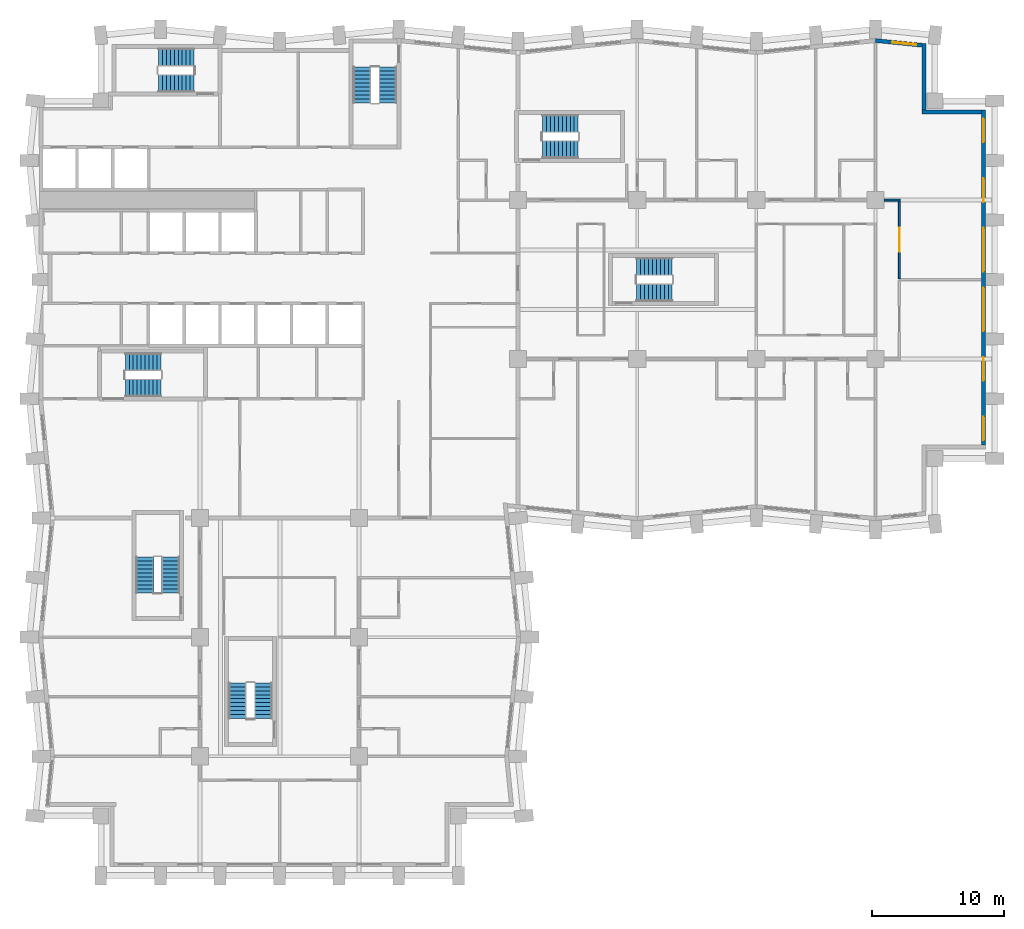
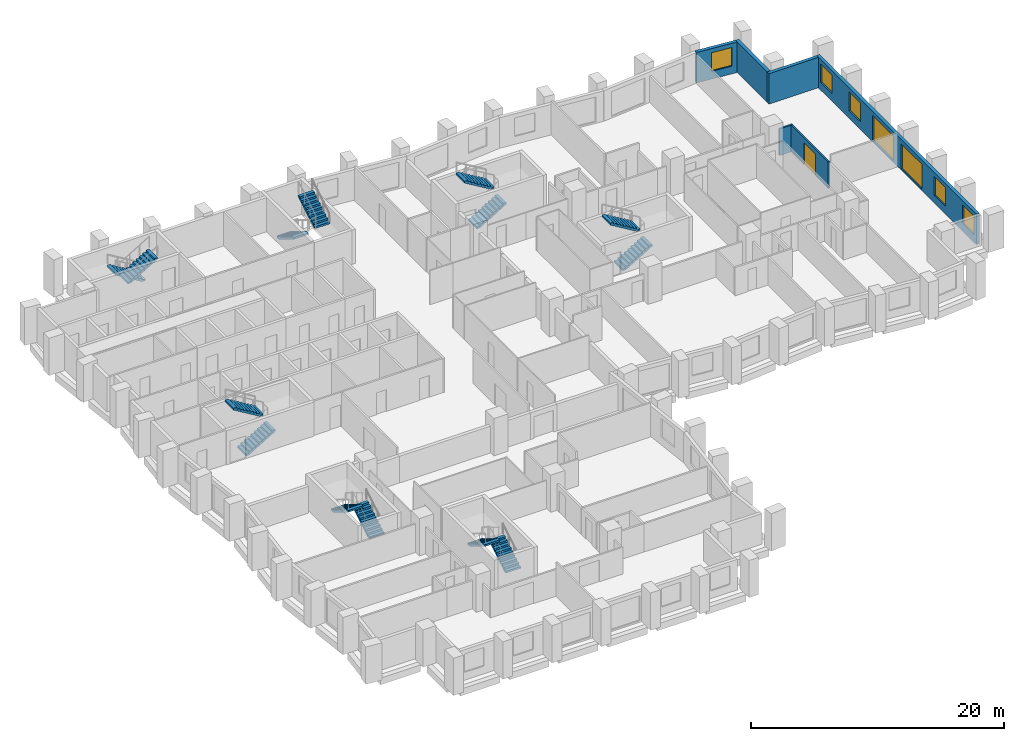
# One storey, part 10 of 12: 14 stair flights, 7 windows, 6 walls, 1 door, 8 openings, 7 elements without a shape of their own.
"""IFC4 building model written with IfcOpenShell, lengths in metres."""

from ifc_helpers import new_model, si_unit, direction, frame, frame_2d, origin, place, context, subcontext, project, spatial, polyline, rectangle, outline, extrude, material, layer, layer_set, type_object, element, fill, aggregate, save


model = new_model("IFC4")

# Units and contexts
model_context = context("Model", 3, precision=1e-05, world=origin(), true_north=direction((0.0, 1.0)))
body_context = subcontext(model_context, "Body", "Model", "MODEL_VIEW")
ifc_project = project(units=[si_unit("LENGTHUNIT", "METRE"), si_unit("AREAUNIT", "SQUARE_METRE"), si_unit("VOLUMEUNIT", "CUBIC_METRE"), si_unit("PLANEANGLEUNIT", "RADIAN"), si_unit("MASSUNIT", "GRAM", prefix="KILO")], contexts=[model_context])

# Site, building, storey
site_placement = place(None, origin())
site = spatial("IfcSite", under=ifc_project, at=site_placement, CompositionType="ELEMENT")
building_placement = place(site_placement, origin())
building = spatial("IfcBuilding", under=site, at=building_placement, Name="Brondeck Convention Tower", CompositionType="ELEMENT")
storey_placement = place(building_placement, frame((0.0, 0.0, 59.10009765625)))
storey = spatial("IfcBuildingStorey", under=building, at=storey_placement, Name="L12", CompositionType="ELEMENT", Elevation=59.10009765625)

# Wall, openings, windows
ifc_material_1 = material(Name="Precast concrete C50/60 bronze finish", Category="concrete")
ifc_layer_1 = layer(ifc_material_1, 0.070068359375, Name="Bronze precast facing")
ifc_material_2 = material(Name="Mineral wool")
ifc_layer_2 = layer(ifc_material_2, 0.159912109375, Name="Insulation")
ifc_material_3 = material(Name="Concrete C35/45", Category="concrete")
ifc_layer_3 = layer(ifc_material_3, 0.070068359375, Name="Backing")
ifc_layer_set_1 = layer_set([ifc_layer_1, ifc_layer_2, ifc_layer_3], Name="External infill wall, precast concrete C50/60 bronze facing")
wall_type_1 = type_object("IfcWallType", Name="External infill wall, precast concrete C50/60 bronze facing", PredefinedType="SOLIDWALL", material=ifc_layer_set_1)
wall_1_placement = place(storey_placement, frame((71.14990234375, 57.800048828125, 0.0), z_axis=(0.0, 0.0, 1.0), x_axis=(0.0, -1.0, 0.0)))
wall_1 = element("IfcWall", 1, at=wall_1_placement, inside=storey, type_object=wall_type_1, Name="ENV-EW-L12-P0-A-E72-01", PredefinedType="SOLIDWALL", context=body_context, shape_type="SweptSolid", body=[
    extrude(rectangle(XDim=25.302001953125, YDim=0.300048828125, at=frame_2d((12.65087890625, 0.0))), origin(), (0.0, 0.0, 1.0), 2.949951171875),
])
opening_1_placement = place(wall_1_placement, frame((0.64990234375, 0.0, 0.75)))
opening_1 = element("IfcOpeningElement", 2, at=opening_1_placement, cuts=wall_1, Name="Opening W10", PredefinedType="OPENING", context=body_context, shape_type="SweptSolid", body=[
    extrude(rectangle(XDim=1.800048828125, YDim=1.800048828125, at=frame_2d((0.89990234375, 0.89990234375))), frame((0.0, 0.159912109375, 0.0), z_axis=(0.0, -1.0, 0.0), x_axis=(1.0, 0.0, 0.0)), (0.0, 0.0, 1.0), 0.320068359375),
])
opening_2_placement = place(wall_1_placement, frame((5.14990234375, 0.0, 0.75)))
opening_2 = element("IfcOpeningElement", 3, at=opening_2_placement, cuts=wall_1, Name="Opening W10", PredefinedType="OPENING", context=body_context, shape_type="SweptSolid", body=[
    extrude(rectangle(XDim=1.800048828125, YDim=1.800048828125, at=frame_2d((0.89990234375, 0.89990234375))), frame((0.0, 0.159912109375, 0.0), z_axis=(0.0, -1.0, 0.0), x_axis=(1.0, 0.0, 0.0)), (0.0, 0.0, 1.0), 0.320068359375),
])
opening_3_placement = place(wall_1_placement, frame((8.89990234375, 0.0, 0.14990234375)))
opening_3 = element("IfcOpeningElement", 4, at=opening_3_placement, cuts=wall_1, Name="Opening W9", PredefinedType="OPENING", context=body_context, shape_type="SweptSolid", body=[
    extrude(rectangle(XDim=3.300048828125, YDim=2.39990234375, at=frame_2d((1.64990234375, 1.199951171875))), frame((0.0, 0.159912109375, 0.0), z_axis=(0.0, -1.0, 0.0), x_axis=(1.0, 0.0, 0.0)), (0.0, 0.0, 1.0), 0.320068359375),
])
opening_4_placement = place(wall_1_placement, frame((13.39990234375, 0.0, 0.14990234375)))
opening_4 = element("IfcOpeningElement", 5, at=opening_4_placement, cuts=wall_1, Name="Opening W9", PredefinedType="OPENING", context=body_context, shape_type="SweptSolid", body=[
    extrude(rectangle(XDim=3.300048828125, YDim=2.39990234375, at=frame_2d((1.64990234375, 1.199951171875))), frame((0.0, 0.159912109375, 0.0), z_axis=(0.0, -1.0, 0.0), x_axis=(1.0, 0.0, 0.0)), (0.0, 0.0, 1.0), 0.320068359375),
])
opening_5_placement = place(wall_1_placement, frame((18.64990234375, 0.0, 0.75)))
opening_5 = element("IfcOpeningElement", 6, at=opening_5_placement, cuts=wall_1, Name="Opening W10", PredefinedType="OPENING", context=body_context, shape_type="SweptSolid", body=[
    extrude(rectangle(XDim=1.800048828125, YDim=1.800048828125, at=frame_2d((0.89990234375, 0.89990234375))), frame((0.0, 0.159912109375, 0.0), z_axis=(0.0, -1.0, 0.0), x_axis=(1.0, 0.0, 0.0)), (0.0, 0.0, 1.0), 0.320068359375),
])
opening_6_placement = place(wall_1_placement, frame((23.14990234375, 0.0, 0.75)))
opening_6 = element("IfcOpeningElement", 7, at=opening_6_placement, cuts=wall_1, Name="Opening W10", PredefinedType="OPENING", context=body_context, shape_type="SweptSolid", body=[
    extrude(rectangle(XDim=1.800048828125, YDim=1.800048828125, at=frame_2d((0.89990234375, 0.89990234375))), frame((0.0, 0.159912109375, 0.0), z_axis=(0.0, -1.0, 0.0), x_axis=(1.0, 0.0, 0.0)), (0.0, 0.0, 1.0), 0.320068359375),
])
ifc_material_4 = material(Name="Bronze tinted double glazing", Category="glass")
window_type_1 = type_object("IfcWindowType", Name="Glazed flute window, bronze tinted", PartitioningType="SINGLE_PANEL", PredefinedType="WINDOW", material=ifc_material_4)
window_1_placement = place(opening_3_placement, origin())
window_1 = element("IfcWindow", 8, at=window_1_placement, inside=storey, type_object=window_type_1, Name="ENV-WN-L12-P0-A-E72-04", OverallHeight=2.39990234375, OverallWidth=3.300048828125, PartitioningType="SINGLE_PANEL", PredefinedType="WINDOW", context=body_context, shape_type="SweptSolid", body=[
    extrude(rectangle(XDim=3.300048828125, YDim=2.39990234375, at=frame_2d((1.64990234375, 1.199951171875))), frame((0.0, 0.030029296875, 0.0), z_axis=(0.0, -1.0, 0.0), x_axis=(1.0, 0.0, 0.0)), (0.0, 0.0, 1.0), 0.06005859375),
])
fill(opening_3, window_1)
window_2_placement = place(opening_4_placement, origin())
window_2 = element("IfcWindow", 9, at=window_2_placement, inside=storey, type_object=window_type_1, Name="ENV-WN-L12-P0-A-E72-03", OverallHeight=2.39990234375, OverallWidth=3.300048828125, PartitioningType="SINGLE_PANEL", PredefinedType="WINDOW", context=body_context, shape_type="SweptSolid", body=[
    extrude(rectangle(XDim=3.300048828125, YDim=2.39990234375, at=frame_2d((1.64990234375, 1.199951171875))), frame((0.0, 0.030029296875, 0.0), z_axis=(0.0, -1.0, 0.0), x_axis=(1.0, 0.0, 0.0)), (0.0, 0.0, 1.0), 0.06005859375),
])
fill(opening_4, window_2)
window_type_2 = type_object("IfcWindowType", Name="Punched window, bronze tinted", PartitioningType="SINGLE_PANEL", PredefinedType="WINDOW", material=ifc_material_4)
window_3_placement = place(opening_1_placement, origin())
window_3 = element("IfcWindow", 10, at=window_3_placement, inside=storey, type_object=window_type_2, Name="ENV-WN-L12-P0-A-E72-06", OverallHeight=1.800048828125, OverallWidth=1.800048828125, PartitioningType="SINGLE_PANEL", PredefinedType="WINDOW", context=body_context, shape_type="SweptSolid", body=[
    extrude(rectangle(XDim=1.800048828125, YDim=1.800048828125, at=frame_2d((0.89990234375, 0.89990234375))), frame((0.0, 0.030029296875, 0.0), z_axis=(0.0, -1.0, 0.0), x_axis=(1.0, 0.0, 0.0)), (0.0, 0.0, 1.0), 0.06005859375),
])
fill(opening_1, window_3)
window_4_placement = place(opening_2_placement, origin())
window_4 = element("IfcWindow", 11, at=window_4_placement, inside=storey, type_object=window_type_2, Name="ENV-WN-L12-P0-A-E72-05", OverallHeight=1.800048828125, OverallWidth=1.800048828125, PartitioningType="SINGLE_PANEL", PredefinedType="WINDOW", context=body_context, shape_type="SweptSolid", body=[
    extrude(rectangle(XDim=1.800048828125, YDim=1.800048828125, at=frame_2d((0.89990234375, 0.89990234375))), frame((0.0, 0.030029296875, 0.0), z_axis=(0.0, -1.0, 0.0), x_axis=(1.0, 0.0, 0.0)), (0.0, 0.0, 1.0), 0.06005859375),
])
fill(opening_2, window_4)
window_5_placement = place(opening_5_placement, origin())
window_5 = element("IfcWindow", 12, at=window_5_placement, inside=storey, type_object=window_type_2, Name="ENV-WN-L12-P0-A-E72-02", OverallHeight=1.800048828125, OverallWidth=1.800048828125, PartitioningType="SINGLE_PANEL", PredefinedType="WINDOW", context=body_context, shape_type="SweptSolid", body=[
    extrude(rectangle(XDim=1.800048828125, YDim=1.800048828125, at=frame_2d((0.89990234375, 0.89990234375))), frame((0.0, 0.030029296875, 0.0), z_axis=(0.0, -1.0, 0.0), x_axis=(1.0, 0.0, 0.0)), (0.0, 0.0, 1.0), 0.06005859375),
])
fill(opening_5, window_5)
window_6_placement = place(opening_6_placement, origin())
window_6 = element("IfcWindow", 13, at=window_6_placement, inside=storey, type_object=window_type_2, Name="ENV-WN-L12-P0-A-E72-01", OverallHeight=1.800048828125, OverallWidth=1.800048828125, PartitioningType="SINGLE_PANEL", PredefinedType="WINDOW", context=body_context, shape_type="SweptSolid", body=[
    extrude(rectangle(XDim=1.800048828125, YDim=1.800048828125, at=frame_2d((0.89990234375, 0.89990234375))), frame((0.0, 0.030029296875, 0.0), z_axis=(0.0, -1.0, 0.0), x_axis=(1.0, 0.0, 0.0)), (0.0, 0.0, 1.0), 0.06005859375),
])
fill(opening_6, window_6)

# Walls
wall_2_placement = place(storey_placement, frame((66.5, 57.64990234375, 0.0), z_axis=(0.0, 0.0, 1.0), x_axis=(1.0, 0.0, 0.0)))
element("IfcWall", 14, at=wall_2_placement, inside=storey, type_object=wall_type_1, Name="ENV-EW-L12-P0-NC-NEA72-01", PredefinedType="SOLIDWALL", context=body_context, shape_type="SweptSolid", body=[
    extrude(rectangle(XDim=4.5, YDim=0.300048828125, at=frame_2d((2.25, 0.0))), origin(), (0.0, 0.0, 1.0), 2.949951171875),
])
wall_3_placement = place(storey_placement, frame((66.64990234375, 62.81640625, 0.0), z_axis=(0.0, 0.0, 1.0), x_axis=(0.0, -1.0, 0.0)))
element("IfcWall", 15, at=wall_3_placement, inside=storey, type_object=wall_type_1, Name="ENV-EW-L12-P0-NC-NEA72-02", PredefinedType="SOLIDWALL", context=body_context, shape_type="SweptSolid", body=[
    extrude(rectangle(XDim=5.018310546875, YDim=0.300048828125, at=frame_2d((2.50927734375, 0.0))), origin(), (0.0, 0.0, 1.0), 2.949951171875),
])

# Wall, opening, window
wall_4_placement = place(storey_placement, frame((62.985107421875, 63.04736328125, 0.0), z_axis=(0.0, 0.0, 1.0), x_axis=(0.995031712439, -0.099558481511, 0.0)))
wall_4 = element("IfcWall", 16, at=wall_4_placement, inside=storey, type_object=wall_type_1, Name="ENV-EW-L12-P0-A-N-14", PredefinedType="SOLIDWALL", context=body_context, shape_type="SweptSolid", body=[
    extrude(rectangle(XDim=3.53125, YDim=0.300048828125, at=frame_2d((1.765625, 0.0))), origin(), (0.0, 0.0, 1.0), 2.949951171875),
])
opening_7_placement = place(wall_4_placement, frame((1.291259765625, 0.0, 0.75)))
opening_7 = element("IfcOpeningElement", 17, at=opening_7_placement, cuts=wall_4, Name="Opening W10", PredefinedType="OPENING", context=body_context, shape_type="SweptSolid", body=[
    extrude(rectangle(XDim=1.800048828125, YDim=1.800048828125, at=frame_2d((0.89990234375, 0.89990234375))), frame((0.0, 0.159912109375, 0.0), z_axis=(0.0, -1.0, 0.0), x_axis=(1.0, 0.0, 0.0)), (0.0, 0.0, 1.0), 0.320068359375),
])
window_7_placement = place(opening_7_placement, origin())
window_7 = element("IfcWindow", 18, at=window_7_placement, inside=storey, type_object=window_type_2, Name="ENV-WN-L12-P0-A-N-14", OverallHeight=1.800048828125, OverallWidth=1.800048828125, PartitioningType="SINGLE_PANEL", PredefinedType="WINDOW", context=body_context, shape_type="SweptSolid", body=[
    extrude(rectangle(XDim=1.800048828125, YDim=1.800048828125, at=frame_2d((0.89990234375, 0.89990234375))), frame((0.0, 0.030029296875, 0.0), z_axis=(0.0, -1.0, 0.0), x_axis=(1.0, 0.0, 0.0)), (0.0, 0.0, 1.0), 0.06005859375),
])
fill(opening_7, window_7)

# Wall, opening, door
ifc_material_5 = material(Name="Double gypsum board acoustic wall")
ifc_layer_4 = layer(ifc_material_5, 0.14990234375)
ifc_layer_set_2 = layer_set([ifc_layer_4], Name="Guest room party wall 150")
wall_type_2 = type_object("IfcWallType", Name="Guest room party wall 150", PredefinedType="PARTITIONING", material=ifc_layer_set_2)
wall_5_placement = place(storey_placement, frame((64.800048828125, 50.925048828125, 0.0), z_axis=(0.0, 0.0, 1.0), x_axis=(0.0, -1.0, 0.0)))
wall_5 = element("IfcWall", 19, at=wall_5_placement, inside=storey, type_object=wall_type_2, Name="FLR-L12-W100", PredefinedType="PARTITIONING", context=body_context, shape_type="SweptSolid", body=[
    extrude(rectangle(XDim=5.85009765625, YDim=0.14990234375, at=frame_2d((2.925048828125, 0.0))), origin(), (0.0, 0.0, 1.0), 2.579833984375),
])
opening_8_placement = place(wall_5_placement, frame((2.02490234375, 0.0, 0.0)))
opening_8 = element("IfcOpeningElement", 20, at=opening_8_placement, cuts=wall_5, Name="Opening H3-020", PredefinedType="OPENING", context=body_context, shape_type="SweptSolid", body=[
    extrude(rectangle(XDim=1.800048828125, YDim=2.10009765625, at=frame_2d((0.89990234375, 1.050048828125))), frame((0.0, 0.0849609375, 0.0), z_axis=(0.0, -1.0, 0.0), x_axis=(1.0, 0.0, 0.0)), (0.0, 0.0, 1.0), 0.169921875),
])
ifc_material_6 = material(Name="Glazed timber double door", Category="wood")
door_type = type_object("IfcDoorType", Name="Double door 1800", OperationType="DOUBLE_DOOR_SINGLE_SWING", PredefinedType="DOOR", material=ifc_material_6)
door_placement = place(opening_8_placement, origin())
door = element("IfcDoor", 21, at=door_placement, inside=storey, type_object=door_type, Name="Door H3-020", OperationType="DOUBLE_DOOR_SINGLE_SWING", OverallHeight=2.10009765625, OverallWidth=1.800048828125, PredefinedType="DOOR", context=body_context, shape_type="SweptSolid", body=[
    extrude(rectangle(XDim=1.800048828125, YDim=2.10009765625, at=frame_2d((0.89990234375, 1.050048828125))), frame((0.0, 0.02490234375, 0.0), z_axis=(0.0, -1.0, 0.0), x_axis=(1.0, 0.0, 0.0)), (0.0, 0.0, 1.0), 0.050048828125),
])
fill(opening_8, door)

# Wall
wall_6_placement = place(storey_placement, frame((63.655029296875, 51.0, 0.0), z_axis=(0.0, 0.0, 1.0), x_axis=(1.0, 0.0, 0.0)))
element("IfcWall", 22, at=wall_6_placement, inside=storey, type_object=wall_type_2, Name="FLR-L12-W112", PredefinedType="PARTITIONING", context=body_context, shape_type="SweptSolid", body=[
    extrude(rectangle(XDim=1.219970703125, YDim=0.14990234375, at=frame_2d((0.60986328125, 0.0))), origin(), (0.0, 0.0, 1.0), 2.579833984375),
])

# Stair, stair flights
ifc_material_7 = material(Name="Precast concrete C50/60", Category="concrete")
stair_type = type_object("IfcStairType", Name="Core stair 20 risers 180.00 mm riser 300 mm going 1350 wide", PredefinedType="HALF_TURN_STAIR", material=ifc_material_7)
stair_1_placement = place(storey_placement, origin())
stair_1 = element("IfcStair", 23, at=stair_1_placement, inside=storey, type_object=stair_type, Name="ST-1 L12 stair", PredefinedType="HALF_TURN_STAIR")
stair_flight_type = type_object("IfcStairFlightType", Name="Core stair flight 20 risers 180.00 mm riser 300 mm going 1350 wide", PredefinedType="STRAIGHT", material=ifc_material_7)
stair_flight_1_placement = place(storey_placement, frame((6.35009765625, 36.824951171875, 0.0), z_axis=(0.0, 0.0, 1.0), x_axis=(1.0, 0.0, 0.0)))
stair_flight_1 = element("IfcStairFlight", 24, at=stair_flight_1_placement, type_object=stair_flight_type, Name="ST-1 flight 1", NumberOfRisers=10, NumberOfTreads=9, PredefinedType="STRAIGHT", RiserHeight=0.18, TreadLength=0.3, context=body_context, shape_type="SweptSolid", body=[
    extrude(outline(polyline([(0.0, 0.0), (0.0, 0.179931640625), (0.300048828125, 0.179931640625), (0.300048828125, 0.360107421875), (0.60009765625, 0.360107421875), (0.60009765625, 0.5400390625), (0.89990234375, 0.5400390625), (0.89990234375, 0.719970703125), (1.199951171875, 0.719970703125), (1.199951171875, 0.89990234375), (1.5, 0.89990234375), (1.5, 1.080078125), (1.800048828125, 1.080078125), (1.800048828125, 1.260009765625), (2.10009765625, 1.260009765625), (2.10009765625, 1.43994140625), (2.39990234375, 1.43994140625), (2.39990234375, 1.6201171875), (2.699951171875, 1.6201171875), (2.699951171875, 1.800048828125), (2.699951171875, 1.445068359375), (0.291259765625, 0.0), (0.0, 0.0)])), frame((0.0, 0.675048828125, 0.0), z_axis=(0.0, -1.0, 0.0), x_axis=(1.0, 0.0, 0.0)), (0.0, 0.0, 1.0), 1.35009765625),
])
stair_flight_2_placement = place(storey_placement, frame((9.050048828125, 38.77490234375, 1.7998046875), z_axis=(0.0, 0.0, 1.0), x_axis=(-1.0, 0.0, 0.0)))
stair_flight_2 = element("IfcStairFlight", 25, at=stair_flight_2_placement, type_object=stair_flight_type, Name="ST-1 flight 2", NumberOfRisers=10, NumberOfTreads=9, PredefinedType="STRAIGHT", RiserHeight=0.18, TreadLength=0.3, context=body_context, shape_type="SweptSolid", body=[
    extrude(outline(polyline([(0.0, 0.0), (0.0, 0.179931640625), (0.300048828125, 0.179931640625), (0.300048828125, 0.360107421875), (0.60009765625, 0.360107421875), (0.60009765625, 0.5400390625), (0.89990234375, 0.5400390625), (0.89990234375, 0.719970703125), (1.199951171875, 0.719970703125), (1.199951171875, 0.89990234375), (1.5, 0.89990234375), (1.5, 1.080078125), (1.800048828125, 1.080078125), (1.800048828125, 1.260009765625), (2.10009765625, 1.260009765625), (2.10009765625, 1.43994140625), (2.39990234375, 1.43994140625), (2.39990234375, 1.6201171875), (2.699951171875, 1.6201171875), (2.699951171875, 1.800048828125), (2.699951171875, 1.445068359375), (0.291259765625, 0.0), (0.0, 0.0)])), frame((0.0, 0.675048828125, 0.0), z_axis=(0.0, -1.0, 0.0), x_axis=(1.0, 0.0, 0.0)), (0.0, 0.0, 1.0), 1.35009765625),
])
aggregate(stair_1, [stair_flight_1, stair_flight_2])

stair_2_placement = place(storey_placement, origin())
stair_2 = element("IfcStair", 26, at=stair_2_placement, inside=storey, type_object=stair_type, Name="ST-2 L12 stair", PredefinedType="HALF_TURN_STAIR")
stair_flight_3_placement = place(storey_placement, frame((24.22509765625, 61.050048828125, 0.0), z_axis=(0.0, 0.0, 1.0), x_axis=(0.0, -1.0, 0.0)))
stair_flight_3 = element("IfcStairFlight", 27, at=stair_flight_3_placement, type_object=stair_flight_type, Name="ST-2 flight 1", NumberOfRisers=10, NumberOfTreads=9, PredefinedType="STRAIGHT", RiserHeight=0.18, TreadLength=0.3, context=body_context, shape_type="SweptSolid", body=[
    extrude(outline(polyline([(0.0, 0.0), (0.0, 0.179931640625), (0.300048828125, 0.179931640625), (0.300048828125, 0.360107421875), (0.60009765625, 0.360107421875), (0.60009765625, 0.5400390625), (0.89990234375, 0.5400390625), (0.89990234375, 0.719970703125), (1.199951171875, 0.719970703125), (1.199951171875, 0.89990234375), (1.5, 0.89990234375), (1.5, 1.080078125), (1.800048828125, 1.080078125), (1.800048828125, 1.260009765625), (2.10009765625, 1.260009765625), (2.10009765625, 1.43994140625), (2.39990234375, 1.43994140625), (2.39990234375, 1.6201171875), (2.699951171875, 1.6201171875), (2.699951171875, 1.800048828125), (2.699951171875, 1.445068359375), (0.291259765625, 0.0), (0.0, 0.0)])), frame((0.0, 0.675048828125, 0.0), z_axis=(0.0, -1.0, 0.0), x_axis=(1.0, 0.0, 0.0)), (0.0, 0.0, 1.0), 1.35009765625),
])
stair_flight_4_placement = place(storey_placement, frame((26.175048828125, 58.35009765625, 1.7998046875), z_axis=(0.0, 0.0, 1.0), x_axis=(0.0, 1.0, 0.0)))
stair_flight_4 = element("IfcStairFlight", 28, at=stair_flight_4_placement, type_object=stair_flight_type, Name="ST-2 flight 2", NumberOfRisers=10, NumberOfTreads=9, PredefinedType="STRAIGHT", RiserHeight=0.18, TreadLength=0.3, context=body_context, shape_type="SweptSolid", body=[
    extrude(outline(polyline([(0.0, 0.0), (0.0, 0.179931640625), (0.300048828125, 0.179931640625), (0.300048828125, 0.360107421875), (0.60009765625, 0.360107421875), (0.60009765625, 0.5400390625), (0.89990234375, 0.5400390625), (0.89990234375, 0.719970703125), (1.199951171875, 0.719970703125), (1.199951171875, 0.89990234375), (1.5, 0.89990234375), (1.5, 1.080078125), (1.800048828125, 1.080078125), (1.800048828125, 1.260009765625), (2.10009765625, 1.260009765625), (2.10009765625, 1.43994140625), (2.39990234375, 1.43994140625), (2.39990234375, 1.6201171875), (2.699951171875, 1.6201171875), (2.699951171875, 1.800048828125), (2.699951171875, 1.445068359375), (0.291259765625, 0.0), (0.0, 0.0)])), frame((0.0, 0.675048828125, 0.0), z_axis=(0.0, -1.0, 0.0), x_axis=(1.0, 0.0, 0.0)), (0.0, 0.0, 1.0), 1.35009765625),
])
aggregate(stair_2, [stair_flight_3, stair_flight_4])

stair_3_placement = place(storey_placement, origin())
stair_3 = element("IfcStair", 29, at=stair_3_placement, inside=storey, type_object=stair_type, Name="ST-3 L12 stair", PredefinedType="HALF_TURN_STAIR")
stair_flight_5_placement = place(storey_placement, frame((11.550048828125, 61.77490234375, 0.0), z_axis=(0.0, 0.0, 1.0), x_axis=(-1.0, 0.0, 0.0)))
stair_flight_5 = element("IfcStairFlight", 30, at=stair_flight_5_placement, type_object=stair_flight_type, Name="ST-3 flight 1", NumberOfRisers=10, NumberOfTreads=9, PredefinedType="STRAIGHT", RiserHeight=0.18, TreadLength=0.3, context=body_context, shape_type="SweptSolid", body=[
    extrude(outline(polyline([(0.0, 0.0), (0.0, 0.179931640625), (0.300048828125, 0.179931640625), (0.300048828125, 0.360107421875), (0.60009765625, 0.360107421875), (0.60009765625, 0.5400390625), (0.89990234375, 0.5400390625), (0.89990234375, 0.719970703125), (1.199951171875, 0.719970703125), (1.199951171875, 0.89990234375), (1.5, 0.89990234375), (1.5, 1.080078125), (1.800048828125, 1.080078125), (1.800048828125, 1.260009765625), (2.10009765625, 1.260009765625), (2.10009765625, 1.43994140625), (2.39990234375, 1.43994140625), (2.39990234375, 1.6201171875), (2.699951171875, 1.6201171875), (2.699951171875, 1.800048828125), (2.699951171875, 1.445068359375), (0.291259765625, 0.0), (0.0, 0.0)])), frame((0.0, 0.675048828125, 0.0), z_axis=(0.0, -1.0, 0.0), x_axis=(1.0, 0.0, 0.0)), (0.0, 0.0, 1.0), 1.35009765625),
])
stair_flight_6_placement = place(storey_placement, frame((8.85009765625, 59.824951171875, 1.7998046875), z_axis=(0.0, 0.0, 1.0), x_axis=(1.0, 0.0, 0.0)))
stair_flight_6 = element("IfcStairFlight", 31, at=stair_flight_6_placement, type_object=stair_flight_type, Name="ST-3 flight 2", NumberOfRisers=10, NumberOfTreads=9, PredefinedType="STRAIGHT", RiserHeight=0.18, TreadLength=0.3, context=body_context, shape_type="SweptSolid", body=[
    extrude(outline(polyline([(0.0, 0.0), (0.0, 0.179931640625), (0.300048828125, 0.179931640625), (0.300048828125, 0.360107421875), (0.60009765625, 0.360107421875), (0.60009765625, 0.5400390625), (0.89990234375, 0.5400390625), (0.89990234375, 0.719970703125), (1.199951171875, 0.719970703125), (1.199951171875, 0.89990234375), (1.5, 0.89990234375), (1.5, 1.080078125), (1.800048828125, 1.080078125), (1.800048828125, 1.260009765625), (2.10009765625, 1.260009765625), (2.10009765625, 1.43994140625), (2.39990234375, 1.43994140625), (2.39990234375, 1.6201171875), (2.699951171875, 1.6201171875), (2.699951171875, 1.800048828125), (2.699951171875, 1.445068359375), (0.291259765625, 0.0), (0.0, 0.0)])), frame((0.0, 0.675048828125, 0.0), z_axis=(0.0, -1.0, 0.0), x_axis=(1.0, 0.0, 0.0)), (0.0, 0.0, 1.0), 1.35009765625),
])
aggregate(stair_3, [stair_flight_5, stair_flight_6])

stair_4_placement = place(storey_placement, origin())
stair_4 = element("IfcStair", 32, at=stair_4_placement, inside=storey, type_object=stair_type, Name="ST-AE L12 stair", PredefinedType="HALF_TURN_STAIR")
stair_flight_7_placement = place(storey_placement, frame((37.85009765625, 54.824951171875, 0.0), z_axis=(0.0, 0.0, 1.0), x_axis=(1.0, 0.0, 0.0)))
stair_flight_7 = element("IfcStairFlight", 33, at=stair_flight_7_placement, type_object=stair_flight_type, Name="ST-AE flight 1", NumberOfRisers=10, NumberOfTreads=9, PredefinedType="STRAIGHT", RiserHeight=0.18, TreadLength=0.3, context=body_context, shape_type="SweptSolid", body=[
    extrude(outline(polyline([(0.0, 0.0), (0.0, 0.179931640625), (0.300048828125, 0.179931640625), (0.300048828125, 0.360107421875), (0.60009765625, 0.360107421875), (0.60009765625, 0.5400390625), (0.89990234375, 0.5400390625), (0.89990234375, 0.719970703125), (1.199951171875, 0.719970703125), (1.199951171875, 0.89990234375), (1.5, 0.89990234375), (1.5, 1.080078125), (1.800048828125, 1.080078125), (1.800048828125, 1.260009765625), (2.10009765625, 1.260009765625), (2.10009765625, 1.43994140625), (2.39990234375, 1.43994140625), (2.39990234375, 1.6201171875), (2.699951171875, 1.6201171875), (2.699951171875, 1.800048828125), (2.699951171875, 1.445068359375), (0.291259765625, 0.0), (0.0, 0.0)])), frame((0.0, 0.675048828125, 0.0), z_axis=(0.0, -1.0, 0.0), x_axis=(1.0, 0.0, 0.0)), (0.0, 0.0, 1.0), 1.35009765625),
])
stair_flight_8_placement = place(storey_placement, frame((40.550048828125, 56.77490234375, 1.7998046875), z_axis=(0.0, 0.0, 1.0), x_axis=(-1.0, 0.0, 0.0)))
stair_flight_8 = element("IfcStairFlight", 34, at=stair_flight_8_placement, type_object=stair_flight_type, Name="ST-AE flight 2", NumberOfRisers=10, NumberOfTreads=9, PredefinedType="STRAIGHT", RiserHeight=0.18, TreadLength=0.3, context=body_context, shape_type="SweptSolid", body=[
    extrude(outline(polyline([(0.0, 0.0), (0.0, 0.179931640625), (0.300048828125, 0.179931640625), (0.300048828125, 0.360107421875), (0.60009765625, 0.360107421875), (0.60009765625, 0.5400390625), (0.89990234375, 0.5400390625), (0.89990234375, 0.719970703125), (1.199951171875, 0.719970703125), (1.199951171875, 0.89990234375), (1.5, 0.89990234375), (1.5, 1.080078125), (1.800048828125, 1.080078125), (1.800048828125, 1.260009765625), (2.10009765625, 1.260009765625), (2.10009765625, 1.43994140625), (2.39990234375, 1.43994140625), (2.39990234375, 1.6201171875), (2.699951171875, 1.6201171875), (2.699951171875, 1.800048828125), (2.699951171875, 1.445068359375), (0.291259765625, 0.0), (0.0, 0.0)])), frame((0.0, 0.675048828125, 0.0), z_axis=(0.0, -1.0, 0.0), x_axis=(1.0, 0.0, 0.0)), (0.0, 0.0, 1.0), 1.35009765625),
])
aggregate(stair_4, [stair_flight_7, stair_flight_8])

stair_5_placement = place(storey_placement, origin())
stair_5 = element("IfcStair", 35, at=stair_5_placement, inside=storey, type_object=stair_type, Name="ST-BE L12 stair", PredefinedType="HALF_TURN_STAIR")
stair_flight_9_placement = place(storey_placement, frame((9.77490234375, 21.35009765625, 0.0), z_axis=(0.0, 0.0, 1.0), x_axis=(0.0, 1.0, 0.0)))
stair_flight_9 = element("IfcStairFlight", 36, at=stair_flight_9_placement, type_object=stair_flight_type, Name="ST-BE flight 1", NumberOfRisers=10, NumberOfTreads=9, PredefinedType="STRAIGHT", RiserHeight=0.18, TreadLength=0.3, context=body_context, shape_type="SweptSolid", body=[
    extrude(outline(polyline([(0.0, 0.0), (0.0, 0.179931640625), (0.300048828125, 0.179931640625), (0.300048828125, 0.360107421875), (0.60009765625, 0.360107421875), (0.60009765625, 0.5400390625), (0.89990234375, 0.5400390625), (0.89990234375, 0.719970703125), (1.199951171875, 0.719970703125), (1.199951171875, 0.89990234375), (1.5, 0.89990234375), (1.5, 1.080078125), (1.800048828125, 1.080078125), (1.800048828125, 1.260009765625), (2.10009765625, 1.260009765625), (2.10009765625, 1.43994140625), (2.39990234375, 1.43994140625), (2.39990234375, 1.6201171875), (2.699951171875, 1.6201171875), (2.699951171875, 1.800048828125), (2.699951171875, 1.445068359375), (0.291259765625, 0.0), (0.0, 0.0)])), frame((0.0, 0.675048828125, 0.0), z_axis=(0.0, -1.0, 0.0), x_axis=(1.0, 0.0, 0.0)), (0.0, 0.0, 1.0), 1.35009765625),
])
stair_flight_10_placement = place(storey_placement, frame((7.824951171875, 24.050048828125, 1.7998046875), z_axis=(0.0, 0.0, 1.0), x_axis=(0.0, -1.0, 0.0)))
stair_flight_10 = element("IfcStairFlight", 37, at=stair_flight_10_placement, type_object=stair_flight_type, Name="ST-BE flight 2", NumberOfRisers=10, NumberOfTreads=9, PredefinedType="STRAIGHT", RiserHeight=0.18, TreadLength=0.3, context=body_context, shape_type="SweptSolid", body=[
    extrude(outline(polyline([(0.0, 0.0), (0.0, 0.179931640625), (0.300048828125, 0.179931640625), (0.300048828125, 0.360107421875), (0.60009765625, 0.360107421875), (0.60009765625, 0.5400390625), (0.89990234375, 0.5400390625), (0.89990234375, 0.719970703125), (1.199951171875, 0.719970703125), (1.199951171875, 0.89990234375), (1.5, 0.89990234375), (1.5, 1.080078125), (1.800048828125, 1.080078125), (1.800048828125, 1.260009765625), (2.10009765625, 1.260009765625), (2.10009765625, 1.43994140625), (2.39990234375, 1.43994140625), (2.39990234375, 1.6201171875), (2.699951171875, 1.6201171875), (2.699951171875, 1.800048828125), (2.699951171875, 1.445068359375), (0.291259765625, 0.0), (0.0, 0.0)])), frame((0.0, 0.675048828125, 0.0), z_axis=(0.0, -1.0, 0.0), x_axis=(1.0, 0.0, 0.0)), (0.0, 0.0, 1.0), 1.35009765625),
])
aggregate(stair_5, [stair_flight_9, stair_flight_10])

stair_6_placement = place(storey_placement, origin())
stair_6 = element("IfcStair", 38, at=stair_6_placement, inside=storey, type_object=stair_type, Name="ST-AF L12 stair", PredefinedType="HALF_TURN_STAIR")
stair_flight_11_placement = place(storey_placement, frame((44.949951171875, 44.02490234375, 0.0), z_axis=(0.0, 0.0, 1.0), x_axis=(1.0, 0.0, 0.0)))
stair_flight_11 = element("IfcStairFlight", 39, at=stair_flight_11_placement, type_object=stair_flight_type, Name="ST-AF flight 1", NumberOfRisers=10, NumberOfTreads=9, PredefinedType="STRAIGHT", RiserHeight=0.18, TreadLength=0.3, context=body_context, shape_type="SweptSolid", body=[
    extrude(outline(polyline([(0.0, 0.0), (0.0, 0.179931640625), (0.300048828125, 0.179931640625), (0.300048828125, 0.360107421875), (0.60009765625, 0.360107421875), (0.60009765625, 0.5400390625), (0.89990234375, 0.5400390625), (0.89990234375, 0.719970703125), (1.199951171875, 0.719970703125), (1.199951171875, 0.89990234375), (1.5, 0.89990234375), (1.5, 1.080078125), (1.800048828125, 1.080078125), (1.800048828125, 1.260009765625), (2.10009765625, 1.260009765625), (2.10009765625, 1.43994140625), (2.39990234375, 1.43994140625), (2.39990234375, 1.6201171875), (2.699951171875, 1.6201171875), (2.699951171875, 1.800048828125), (2.699951171875, 1.445068359375), (0.291259765625, 0.0), (0.0, 0.0)])), frame((0.0, 0.675048828125, 0.0), z_axis=(0.0, -1.0, 0.0), x_axis=(1.0, 0.0, 0.0)), (0.0, 0.0, 1.0), 1.35009765625),
])
stair_flight_12_placement = place(storey_placement, frame((47.64990234375, 45.97509765625, 1.7998046875), z_axis=(0.0, 0.0, 1.0), x_axis=(-1.0, 0.0, 0.0)))
stair_flight_12 = element("IfcStairFlight", 40, at=stair_flight_12_placement, type_object=stair_flight_type, Name="ST-AF flight 2", NumberOfRisers=10, NumberOfTreads=9, PredefinedType="STRAIGHT", RiserHeight=0.18, TreadLength=0.3, context=body_context, shape_type="SweptSolid", body=[
    extrude(outline(polyline([(0.0, 0.0), (0.0, 0.179931640625), (0.300048828125, 0.179931640625), (0.300048828125, 0.360107421875), (0.60009765625, 0.360107421875), (0.60009765625, 0.5400390625), (0.89990234375, 0.5400390625), (0.89990234375, 0.719970703125), (1.199951171875, 0.719970703125), (1.199951171875, 0.89990234375), (1.5, 0.89990234375), (1.5, 1.080078125), (1.800048828125, 1.080078125), (1.800048828125, 1.260009765625), (2.10009765625, 1.260009765625), (2.10009765625, 1.43994140625), (2.39990234375, 1.43994140625), (2.39990234375, 1.6201171875), (2.699951171875, 1.6201171875), (2.699951171875, 1.800048828125), (2.699951171875, 1.445068359375), (0.291259765625, 0.0), (0.0, 0.0)])), frame((0.0, 0.675048828125, 0.0), z_axis=(0.0, -1.0, 0.0), x_axis=(1.0, 0.0, 0.0)), (0.0, 0.0, 1.0), 1.35009765625),
])
aggregate(stair_6, [stair_flight_11, stair_flight_12])

stair_7_placement = place(storey_placement, origin())
stair_7 = element("IfcStair", 41, at=stair_7_placement, inside=storey, type_object=stair_type, Name="ST-BF L12 stair", PredefinedType="HALF_TURN_STAIR")
stair_flight_13_placement = place(storey_placement, frame((16.77490234375, 11.85009765625, 0.0), z_axis=(0.0, 0.0, 1.0), x_axis=(0.0, 1.0, 0.0)))
stair_flight_13 = element("IfcStairFlight", 42, at=stair_flight_13_placement, type_object=stair_flight_type, Name="ST-BF flight 1", NumberOfRisers=10, NumberOfTreads=9, PredefinedType="STRAIGHT", RiserHeight=0.18, TreadLength=0.3, context=body_context, shape_type="SweptSolid", body=[
    extrude(outline(polyline([(0.0, 0.0), (0.0, 0.179931640625), (0.300048828125, 0.179931640625), (0.300048828125, 0.360107421875), (0.60009765625, 0.360107421875), (0.60009765625, 0.5400390625), (0.89990234375, 0.5400390625), (0.89990234375, 0.719970703125), (1.199951171875, 0.719970703125), (1.199951171875, 0.89990234375), (1.5, 0.89990234375), (1.5, 1.080078125), (1.800048828125, 1.080078125), (1.800048828125, 1.260009765625), (2.10009765625, 1.260009765625), (2.10009765625, 1.43994140625), (2.39990234375, 1.43994140625), (2.39990234375, 1.6201171875), (2.699951171875, 1.6201171875), (2.699951171875, 1.800048828125), (2.699951171875, 1.445068359375), (0.291259765625, 0.0), (0.0, 0.0)])), frame((0.0, 0.675048828125, 0.0), z_axis=(0.0, -1.0, 0.0), x_axis=(1.0, 0.0, 0.0)), (0.0, 0.0, 1.0), 1.35009765625),
])
stair_flight_14_placement = place(storey_placement, frame((14.824951171875, 14.550048828125, 1.7998046875), z_axis=(0.0, 0.0, 1.0), x_axis=(0.0, -1.0, 0.0)))
stair_flight_14 = element("IfcStairFlight", 43, at=stair_flight_14_placement, type_object=stair_flight_type, Name="ST-BF flight 2", NumberOfRisers=10, NumberOfTreads=9, PredefinedType="STRAIGHT", RiserHeight=0.18, TreadLength=0.3, context=body_context, shape_type="SweptSolid", body=[
    extrude(outline(polyline([(0.0, 0.0), (0.0, 0.179931640625), (0.300048828125, 0.179931640625), (0.300048828125, 0.360107421875), (0.60009765625, 0.360107421875), (0.60009765625, 0.5400390625), (0.89990234375, 0.5400390625), (0.89990234375, 0.719970703125), (1.199951171875, 0.719970703125), (1.199951171875, 0.89990234375), (1.5, 0.89990234375), (1.5, 1.080078125), (1.800048828125, 1.080078125), (1.800048828125, 1.260009765625), (2.10009765625, 1.260009765625), (2.10009765625, 1.43994140625), (2.39990234375, 1.43994140625), (2.39990234375, 1.6201171875), (2.699951171875, 1.6201171875), (2.699951171875, 1.800048828125), (2.699951171875, 1.445068359375), (0.291259765625, 0.0), (0.0, 0.0)])), frame((0.0, 0.675048828125, 0.0), z_axis=(0.0, -1.0, 0.0), x_axis=(1.0, 0.0, 0.0)), (0.0, 0.0, 1.0), 1.35009765625),
])
aggregate(stair_7, [stair_flight_13, stair_flight_14])

save(model, "model.ifc")
